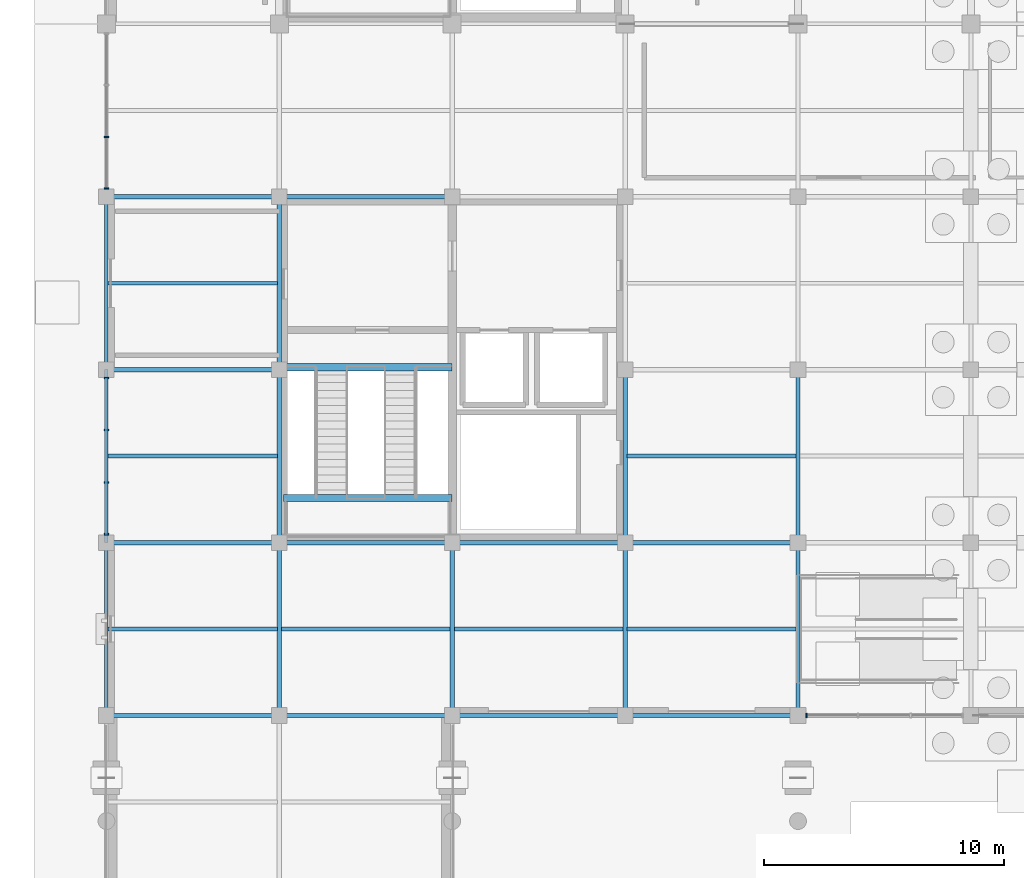
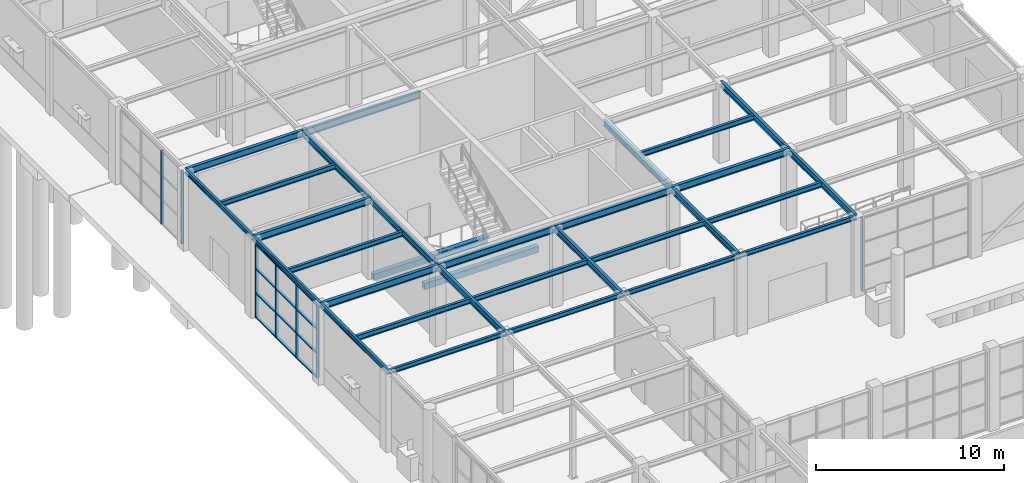
# One storey, part 28 of 75: 31 beams, 11 members, 3 elements without a shape of their own.
"""IFC4 building model written with IfcOpenShell, lengths in metres."""

from ifc_helpers import new_model, si_unit, direction, frame, origin, origin_2d, place, context, subcontext, project, spatial, rectangle, i_section, extrude, material, material_profile, profile_set, type_object, element, aggregate, save


model = new_model("IFC4")

# Units and contexts
model_context = context("Model", 3, precision=1e-05, world=origin(), true_north=direction((0.0, 1.0)))
body_context = subcontext(model_context, "Body", "Model", "MODEL_VIEW")
ifc_project = project(units=[si_unit("LENGTHUNIT", "METRE"), si_unit("AREAUNIT", "SQUARE_METRE"), si_unit("VOLUMEUNIT", "CUBIC_METRE"), si_unit("PLANEANGLEUNIT", "RADIAN"), si_unit("MASSUNIT", "GRAM", prefix="KILO")], contexts=[model_context])

# Site, building, storey
site_placement = place(None, origin())
site = spatial("IfcSite", under=ifc_project, at=site_placement, CompositionType="ELEMENT")
building_placement = place(site_placement, origin())
building = spatial("IfcBuilding", under=site, at=building_placement, Name="Leyfeld Transit Interchange", CompositionType="ELEMENT")
storey_placement = place(building_placement, origin())
storey = spatial("IfcBuildingStorey", under=building, at=storey_placement, Name="L00", CompositionType="ELEMENT", Elevation=0.0)

# Beams
ifc_material_1 = material(Name="Concrete C35/45", Category="concrete")
ifc_material_profile_1 = material_profile(ifc_material_1, rectangle(XDim=0.300048828125, YDim=0.39990234375, at=origin_2d()), Name="RC 400x300")
ifc_profile_set_1 = profile_set([ifc_material_profile_1], Name="Concrete C35/45")
beam_type_1 = type_object("IfcBeamType", Name="BM-RC-400x300", PredefinedType="LINTEL", material=ifc_profile_set_1)
for number, where, z_axis, x_axis, name in (
    (1, (7.375, 79.300048828125, -0.199951171875), (1.0, 0.0, 0.0), (0.0, 1.0, 0.0), "Core K3 Floor Landing Corbel L00"),
    (2, (7.375, 73.860107421875, 2.5), (1.0, 0.0, 0.0), (0.0, 1.0, 0.0), "Stair ST-03 L00 Half-Landing Corbel"),
):
    element("IfcBeam", number, at=place(storey_placement, frame(where, z_axis=z_axis, x_axis=x_axis)), inside=storey, type_object=beam_type_1, Name=name, PredefinedType="LINTEL", context=body_context, shape_type="SweptSolid", body=[
        extrude(rectangle(XDim=0.300048828125, YDim=0.39990234375, at=origin_2d()), origin(), (0.0, 0.0, 1.0), 7.02490234375),
    ])
ifc_material_2 = material(Name="Steel S355J2", Category="steel")
ifc_material_profile_2 = material_profile(ifc_material_2, i_section(OverallWidth=0.14990234375, OverallDepth=0.300048828125, WebThickness=0.007080078125, FlangeThickness=0.0107421875, FilletRadius=0.014892578125, at=origin_2d()), Name="IPE 300")
ifc_profile_set_2 = profile_set([ifc_material_profile_2], Name="Steel S355J2")
beam_type_2 = type_object("IfcBeamType", Name="BM-STL-IPE300", PredefinedType="SPANDREL", material=ifc_profile_set_2)
for number, where, z_axis, x_axis, name in (
    (3, (0.0, 64.800048828125, 4.969970703125), (0.0, 1.0, 0.0), (-1.0, 0.0, 0.0), "Beam BM-L00-0000_0648-0000_0720"),
    (4, (0.0, 72.0, 4.969970703125), (0.0, 1.0, 0.0), (-1.0, 0.0, 0.0), "Beam BM-L00-0000_0720-0000_0792"),
    (5, (0.0, 79.199951171875, 4.969970703125), (0.0, 1.0, 0.0), (-1.0, 0.0, 0.0), "Beam BM-L00-0000_0792-0000_0864"),
    (6, (0.0, 64.800048828125, 4.969970703125), (1.0, 0.0, 0.0), (0.0, 1.0, 0.0), "Beam BM-L00-0000_0648-0072_0648"),
    (7, (7.199951171875, 64.800048828125, 4.969970703125), (1.0, 0.0, 0.0), (0.0, 1.0, 0.0), "Beam BM-L00-0072_0648-0144_0648"),
):
    element("IfcBeam", number, at=place(storey_placement, frame(where, z_axis=z_axis, x_axis=x_axis)), inside=storey, type_object=beam_type_2, Name=name, PredefinedType="SPANDREL", context=body_context, shape_type="SweptSolid", body=[
        extrude(i_section(OverallWidth=0.14990234375, OverallDepth=0.300048828125, WebThickness=0.007080078125, FlangeThickness=0.0107421875, FilletRadius=0.014892578125, at=origin_2d()), origin(), (0.0, 0.0, 1.0), 7.199951171875),
    ])
beam_1_placement = place(storey_placement, frame((14.39990234375, 64.800048828125, 4.969970703125), z_axis=(1.0, 0.0, 0.0), x_axis=(0.0, 1.0, 0.0)))
element("IfcBeam", 8, at=beam_1_placement, inside=storey, type_object=beam_type_2, Name="Beam BM-L00-0144_0648-0216_0648", PredefinedType="SPANDREL", context=body_context, shape_type="SweptSolid", body=[
    extrude(i_section(OverallWidth=0.14990234375, OverallDepth=0.300048828125, WebThickness=0.007080078125, FlangeThickness=0.0107421875, FilletRadius=0.014892578125, at=origin_2d()), origin(), (0.0, 0.0, 1.0), 7.2001953125),
])
beam_2_placement = place(storey_placement, frame((21.60009765625, 64.800048828125, 4.969970703125), z_axis=(1.0, 0.0, 0.0), x_axis=(0.0, 1.0, 0.0)))
element("IfcBeam", 9, at=beam_2_placement, inside=storey, type_object=beam_type_2, Name="Beam BM-L00-0216_0648-0288_0648", PredefinedType="SPANDREL", context=body_context, shape_type="SweptSolid", body=[
    extrude(i_section(OverallWidth=0.14990234375, OverallDepth=0.300048828125, WebThickness=0.007080078125, FlangeThickness=0.0107421875, FilletRadius=0.014892578125, at=origin_2d()), origin(), (0.0, 0.0, 1.0), 7.199951171875),
])
ifc_material_profile_3 = material_profile(ifc_material_2, i_section(OverallWidth=0.159912109375, OverallDepth=0.330078125, WebThickness=0.007568359375, FlangeThickness=0.011474609375, FilletRadius=0.01806640625, at=origin_2d()), Name="IPE 330")
ifc_profile_set_3 = profile_set([ifc_material_profile_3], Name="Steel S355J2")
beam_type_3 = type_object("IfcBeamType", Name="BM-STL-IPE330", PredefinedType="BEAM", material=ifc_profile_set_3)
beam_3_placement = place(storey_placement, frame((0.072021484375, 68.39990234375, 4.955078125), z_axis=(1.0, 0.0, 0.0), x_axis=(0.0, 1.0, 0.0)))
element("IfcBeam", 10, at=beam_3_placement, inside=storey, type_object=beam_type_3, Name="Beam BM-L00-0001_0684-0071_0684", PredefinedType="BEAM", context=body_context, shape_type="SweptSolid", body=[
    extrude(i_section(OverallWidth=0.159912109375, OverallDepth=0.330078125, WebThickness=0.007568359375, FlangeThickness=0.011474609375, FilletRadius=0.01806640625, at=origin_2d()), origin(), (0.0, 0.0, 1.0), 7.041015625),
])
for number, where, z_axis, x_axis, name in (
    (11, (7.287109375, 68.39990234375, 4.955078125), (1.0, 0.0, 0.0), (0.0, 1.0, 0.0), "Beam BM-L00-0073_0684-0143_0684"),
    (12, (14.487060546875, 68.39990234375, 4.955078125), (1.0, 0.0, 0.0), (0.0, 1.0, 0.0), "Beam BM-L00-0145_0684-0215_0684"),
    (13, (21.68701171875, 68.39990234375, 4.955078125), (1.0, 0.0, 0.0), (0.0, 1.0, 0.0), "Beam BM-L00-0217_0684-0287_0684"),
):
    element("IfcBeam", number, at=place(storey_placement, frame(where, z_axis=z_axis, x_axis=x_axis)), inside=storey, type_object=beam_type_3, Name=name, PredefinedType="BEAM", context=body_context, shape_type="SweptSolid", body=[
        extrude(i_section(OverallWidth=0.159912109375, OverallDepth=0.330078125, WebThickness=0.007568359375, FlangeThickness=0.011474609375, FilletRadius=0.01806640625, at=origin_2d()), origin(), (0.0, 0.0, 1.0), 7.02587890625),
    ])
beam_4_placement = place(storey_placement, frame((0.072021484375, 75.60009765625, 4.955078125), z_axis=(1.0, 0.0, 0.0), x_axis=(0.0, 1.0, 0.0)))
element("IfcBeam", 14, at=beam_4_placement, inside=storey, type_object=beam_type_3, Name="Beam BM-L00-0001_0756-0071_0756", PredefinedType="BEAM", context=body_context, shape_type="SweptSolid", body=[
    extrude(i_section(OverallWidth=0.159912109375, OverallDepth=0.330078125, WebThickness=0.007568359375, FlangeThickness=0.011474609375, FilletRadius=0.01806640625, at=origin_2d()), origin(), (0.0, 0.0, 1.0), 7.041015625),
])
beam_5_placement = place(storey_placement, frame((21.68701171875, 75.60009765625, 4.955078125), z_axis=(1.0, 0.0, 0.0), x_axis=(0.0, 1.0, 0.0)))
element("IfcBeam", 15, at=beam_5_placement, inside=storey, type_object=beam_type_3, Name="Beam BM-L00-0217_0756-0287_0756", PredefinedType="BEAM", context=body_context, shape_type="SweptSolid", body=[
    extrude(i_section(OverallWidth=0.159912109375, OverallDepth=0.330078125, WebThickness=0.007568359375, FlangeThickness=0.011474609375, FilletRadius=0.01806640625, at=origin_2d()), origin(), (0.0, 0.0, 1.0), 7.02587890625),
])
beam_6_placement = place(storey_placement, frame((0.072021484375, 82.800048828125, 4.955078125), z_axis=(1.0, 0.0, 0.0), x_axis=(0.0, 1.0, 0.0)))
element("IfcBeam", 16, at=beam_6_placement, inside=storey, type_object=beam_type_3, Name="Beam BM-L00-0001_0828-0071_0828", PredefinedType="BEAM", context=body_context, shape_type="SweptSolid", body=[
    extrude(i_section(OverallWidth=0.159912109375, OverallDepth=0.330078125, WebThickness=0.007568359375, FlangeThickness=0.011474609375, FilletRadius=0.01806640625, at=origin_2d()), origin(), (0.0, 0.0, 1.0), 7.041015625),
])
ifc_material_profile_4 = material_profile(ifc_material_2, i_section(OverallWidth=0.179931640625, OverallDepth=0.39990234375, WebThickness=0.008544921875, FlangeThickness=0.013427734375, FilletRadius=0.02099609375, at=origin_2d()), Name="IPE 400")
ifc_profile_set_4 = profile_set([ifc_material_profile_4], Name="Steel S355J2")
beam_type_4 = type_object("IfcBeamType", Name="BM-STL-IPE400", PredefinedType="BEAM", material=ifc_profile_set_4)
for number, where, z_axis, x_axis, name in (
    (17, (7.199951171875, 64.800048828125, 4.919921875), (0.0, 1.0, 0.0), (-1.0, 0.0, 0.0), "Beam BM-L00-0072_0648-0072_0720"),
    (18, (7.199951171875, 72.0, 4.919921875), (0.0, 1.0, 0.0), (-1.0, 0.0, 0.0), "Beam BM-L00-0072_0720-0072_0792"),
    (19, (7.199951171875, 79.199951171875, 4.919921875), (0.0, 1.0, 0.0), (-1.0, 0.0, 0.0), "Beam BM-L00-0072_0792-0072_0864"),
    (20, (14.39990234375, 64.800048828125, 4.919921875), (0.0, 1.0, 0.0), (-1.0, 0.0, 0.0), "Beam BM-L00-0144_0648-0144_0720"),
    (21, (21.60009765625, 64.800048828125, 4.919921875), (0.0, 1.0, 0.0), (-1.0, 0.0, 0.0), "Beam BM-L00-0216_0648-0216_0720"),
    (22, (21.60009765625, 72.0, 4.919921875), (0.0, 1.0, 0.0), (-1.0, 0.0, 0.0), "Beam BM-L00-0216_0720-0216_0792"),
    (23, (28.800048828125, 64.800048828125, 4.919921875), (0.0, 1.0, 0.0), (-1.0, 0.0, 0.0), "Beam BM-L00-0288_0648-0288_0720"),
    (24, (28.800048828125, 72.0, 4.919921875), (0.0, 1.0, 0.0), (-1.0, 0.0, 0.0), "Beam BM-L00-0288_0720-0288_0792"),
):
    element("IfcBeam", number, at=place(storey_placement, frame(where, z_axis=z_axis, x_axis=x_axis)), inside=storey, type_object=beam_type_4, Name=name, PredefinedType="BEAM", context=body_context, shape_type="SweptSolid", body=[
        extrude(i_section(OverallWidth=0.179931640625, OverallDepth=0.39990234375, WebThickness=0.008544921875, FlangeThickness=0.013427734375, FilletRadius=0.02099609375, at=origin_2d()), origin(), (0.0, 0.0, 1.0), 7.199951171875),
    ])
ifc_material_profile_5 = material_profile(ifc_material_2, i_section(OverallWidth=0.18994140625, OverallDepth=0.449951171875, WebThickness=0.009521484375, FlangeThickness=0.0146484375, FilletRadius=0.02099609375, at=origin_2d()), Name="IPE 450")
ifc_profile_set_5 = profile_set([ifc_material_profile_5], Name="Steel S355J2")
beam_type_5 = type_object("IfcBeamType", Name="BM-STL-IPE450", PredefinedType="BEAM", material=ifc_profile_set_5)
for number, where, z_axis, x_axis, name in (
    (25, (0.0, 72.0, 4.89501953125), (1.0, 0.0, 0.0), (0.0, 1.0, 0.0), "Beam BM-L00-0000_0720-0072_0720"),
    (26, (7.199951171875, 72.0, 4.89501953125), (1.0, 0.0, 0.0), (0.0, 1.0, 0.0), "Beam BM-L00-0072_0720-0144_0720"),
):
    element("IfcBeam", number, at=place(storey_placement, frame(where, z_axis=z_axis, x_axis=x_axis)), inside=storey, type_object=beam_type_5, Name=name, PredefinedType="BEAM", context=body_context, shape_type="SweptSolid", body=[
        extrude(i_section(OverallWidth=0.18994140625, OverallDepth=0.449951171875, WebThickness=0.009521484375, FlangeThickness=0.0146484375, FilletRadius=0.02099609375, at=origin_2d()), origin(), (0.0, 0.0, 1.0), 7.199951171875),
    ])
beam_7_placement = place(storey_placement, frame((14.39990234375, 72.0, 4.89501953125), z_axis=(1.0, 0.0, 0.0), x_axis=(0.0, 1.0, 0.0)))
element("IfcBeam", 27, at=beam_7_placement, inside=storey, type_object=beam_type_5, Name="Beam BM-L00-0144_0720-0216_0720", PredefinedType="BEAM", context=body_context, shape_type="SweptSolid", body=[
    extrude(i_section(OverallWidth=0.18994140625, OverallDepth=0.449951171875, WebThickness=0.009521484375, FlangeThickness=0.0146484375, FilletRadius=0.02099609375, at=origin_2d()), origin(), (0.0, 0.0, 1.0), 7.2001953125),
])
for number, where, z_axis, x_axis, name in (
    (28, (21.60009765625, 72.0, 4.89501953125), (1.0, 0.0, 0.0), (0.0, 1.0, 0.0), "Beam BM-L00-0216_0720-0288_0720"),
    (29, (0.0, 79.199951171875, 4.89501953125), (1.0, 0.0, 0.0), (0.0, 1.0, 0.0), "Beam BM-L00-0000_0792-0072_0792"),
    (30, (0.0, 86.39990234375, 4.89501953125), (1.0, 0.0, 0.0), (0.0, 1.0, 0.0), "Beam BM-L00-0000_0864-0072_0864"),
    (31, (7.199951171875, 86.39990234375, 4.89501953125), (1.0, 0.0, 0.0), (0.0, 1.0, 0.0), "Beam BM-L00-0072_0864-0144_0864"),
):
    element("IfcBeam", number, at=place(storey_placement, frame(where, z_axis=z_axis, x_axis=x_axis)), inside=storey, type_object=beam_type_5, Name=name, PredefinedType="BEAM", context=body_context, shape_type="SweptSolid", body=[
        extrude(i_section(OverallWidth=0.18994140625, OverallDepth=0.449951171875, WebThickness=0.009521484375, FlangeThickness=0.0146484375, FilletRadius=0.02099609375, at=origin_2d()), origin(), (0.0, 0.0, 1.0), 7.199951171875),
    ])

# Curtain wall, members
ifc_material_3 = material(Name="Anodised aluminium EN AW-6060 T66", Category="aluminium")
curtain_wall_type = type_object("IfcCurtainWallType", Name="CW-SYS-CYC-7200", PredefinedType="NOTDEFINED", material=ifc_material_3)
curtain_wall_1_placement = place(storey_placement, origin())
curtain_wall_1 = element("IfcCurtainWall", 32, at=curtain_wall_1_placement, inside=storey, type_object=curtain_wall_type, Name="Curtain Wall CW-L00-007", PredefinedType="NOTDEFINED")
ifc_material_profile_6 = material_profile(ifc_material_3, rectangle(XDim=0.06494140625, YDim=0.179931640625, at=origin_2d()), Name="CW-M 65x180")
ifc_profile_set_6 = profile_set([ifc_material_profile_6], Name="Anodised aluminium EN AW-6060 T66")
member_type_1 = type_object("IfcMemberType", Name="CW-MUL-150x65", PredefinedType="MULLION", material=ifc_profile_set_6)
member_1_placement = place(storey_placement, frame((0.0, 72.347412109375, 0.0), z_axis=(0.0, 0.0, 1.0), x_axis=(0.0, 1.0, 0.0)))
member_1 = element("IfcMember", 33, at=member_1_placement, type_object=member_type_1, Name="Curtain Mullion CW-L00-007-M01", PredefinedType="MULLION", context=body_context, shape_type="SweptSolid", body=[
    extrude(rectangle(XDim=0.06494140625, YDim=0.179931640625, at=origin_2d()), origin(), (0.0, 0.0, 1.0), 4.7900390625),
])
member_2_placement = place(storey_placement, frame((0.0, 74.5048828125, 0.0), z_axis=(0.0, 0.0, 1.0), x_axis=(0.0, 1.0, 0.0)))
member_2 = element("IfcMember", 34, at=member_2_placement, type_object=member_type_1, Name="Curtain Mullion CW-L00-007-M02", PredefinedType="MULLION", context=body_context, shape_type="SweptSolid", body=[
    extrude(rectangle(XDim=0.06494140625, YDim=0.179931640625, at=origin_2d()), origin(), (0.0, 0.0, 1.0), 4.7900390625),
])
member_3_placement = place(storey_placement, frame((0.0, 76.695068359375, 0.0), z_axis=(0.0, 0.0, 1.0), x_axis=(0.0, 1.0, 0.0)))
member_3 = element("IfcMember", 35, at=member_3_placement, type_object=member_type_1, Name="Curtain Mullion CW-L00-007-M03", PredefinedType="MULLION", context=body_context, shape_type="SweptSolid", body=[
    extrude(rectangle(XDim=0.06494140625, YDim=0.179931640625, at=origin_2d()), origin(), (0.0, 0.0, 1.0), 4.7900390625),
])
member_4_placement = place(storey_placement, frame((0.0, 78.8525390625, 0.0), z_axis=(0.0, 0.0, 1.0), x_axis=(0.0, 1.0, 0.0)))
member_4 = element("IfcMember", 36, at=member_4_placement, type_object=member_type_1, Name="Curtain Mullion CW-L00-007-M04", PredefinedType="MULLION", context=body_context, shape_type="SweptSolid", body=[
    extrude(rectangle(XDim=0.06494140625, YDim=0.179931640625, at=origin_2d()), origin(), (0.0, 0.0, 1.0), 4.7900390625),
])

curtain_wall_2_placement = place(storey_placement, origin())
curtain_wall_2 = element("IfcCurtainWall", 37, at=curtain_wall_2_placement, inside=storey, type_object=curtain_wall_type, Name="Curtain Wall CW-L00-008", PredefinedType="NOTDEFINED")
member_5_placement = place(storey_placement, frame((0.0, 86.74755859375, 0.0), z_axis=(0.0, 0.0, 1.0), x_axis=(0.0, 1.0, 0.0)))
member_5 = element("IfcMember", 38, at=member_5_placement, type_object=member_type_1, Name="Curtain Mullion CW-L00-008-M01", PredefinedType="MULLION", context=body_context, shape_type="SweptSolid", body=[
    extrude(rectangle(XDim=0.06494140625, YDim=0.179931640625, at=origin_2d()), origin(), (0.0, 0.0, 1.0), 4.7900390625),
])
member_6_placement = place(storey_placement, frame((0.0, 88.88818359375, 0.0), z_axis=(0.0, 0.0, 1.0), x_axis=(0.0, 1.0, 0.0)))
member_6 = element("IfcMember", 39, at=member_6_placement, type_object=member_type_1, Name="Curtain Mullion CW-L00-008-M02", PredefinedType="MULLION", context=body_context, shape_type="SweptSolid", body=[
    extrude(rectangle(XDim=0.06494140625, YDim=0.179931640625, at=origin_2d()), origin(), (0.0, 0.0, 1.0), 4.7900390625),
])
aggregate(curtain_wall_2, [member_5, member_6])

# Curtain wall, member
curtain_wall_3_placement = place(storey_placement, origin())
curtain_wall_3 = element("IfcCurtainWall", 40, at=curtain_wall_3_placement, inside=storey, type_object=curtain_wall_type, Name="Curtain Wall CW-L00-009", PredefinedType="NOTDEFINED")
member_7_placement = place(storey_placement, frame((29.1474609375, 64.800048828125, 0.0), z_axis=(0.0, 0.0, 1.0), x_axis=(-1.0, 0.0, 0.0)))
member_7 = element("IfcMember", 41, at=member_7_placement, type_object=member_type_1, Name="Curtain Mullion CW-L00-009-M04", PredefinedType="MULLION", context=body_context, shape_type="SweptSolid", body=[
    extrude(rectangle(XDim=0.06494140625, YDim=0.179931640625, at=origin_2d()), origin(), (0.0, 0.0, 1.0), 4.820068359375),
])
aggregate(curtain_wall_3, [member_7])

# Member
ifc_material_profile_7 = material_profile(ifc_material_3, rectangle(XDim=0.14990234375, YDim=0.06494140625, at=origin_2d()), Name="CW-TRN-135x65")
ifc_profile_set_7 = profile_set([ifc_material_profile_7], Name="Anodised aluminium EN AW-6060 T66")
member_type_2 = type_object("IfcMemberType", Name="CW-TRN-135x65", PredefinedType="USERDEFINED", material=ifc_profile_set_7)
member_8_placement = place(storey_placement, frame((0.0, 72.31494140625, 0.032470703125), z_axis=(0.0, 1.0, 0.0), x_axis=(-1.0, 0.0, 0.0)))
member_8 = element("IfcMember", 42, at=member_8_placement, type_object=member_type_2, Name="Curtain Transom CW-L00-007-T01", ObjectType="TRANSOM", PredefinedType="USERDEFINED", context=body_context, shape_type="SweptSolid", body=[
    extrude(rectangle(XDim=0.14990234375, YDim=0.06494140625, at=origin_2d()), origin(), (0.0, 0.0, 1.0), 6.570068359375),
])

member_9_placement = place(storey_placement, frame((0.0, 72.31494140625, 1.607421875), z_axis=(0.0, 1.0, 0.0), x_axis=(-1.0, 0.0, 0.0)))
member_9 = element("IfcMember", 43, at=member_9_placement, type_object=member_type_2, Name="Curtain Transom CW-L00-007-T02", ObjectType="TRANSOM", PredefinedType="USERDEFINED", context=body_context, shape_type="SweptSolid", body=[
    extrude(rectangle(XDim=0.14990234375, YDim=0.06494140625, at=origin_2d()), origin(), (0.0, 0.0, 1.0), 6.570068359375),
])

member_10_placement = place(storey_placement, frame((0.0, 72.31494140625, 3.1826171875), z_axis=(0.0, 1.0, 0.0), x_axis=(-1.0, 0.0, 0.0)))
member_10 = element("IfcMember", 44, at=member_10_placement, type_object=member_type_2, Name="Curtain Transom CW-L00-007-T03", ObjectType="TRANSOM", PredefinedType="USERDEFINED", context=body_context, shape_type="SweptSolid", body=[
    extrude(rectangle(XDim=0.14990234375, YDim=0.06494140625, at=origin_2d()), origin(), (0.0, 0.0, 1.0), 6.570068359375),
])

member_11_placement = place(storey_placement, frame((0.0, 72.31494140625, 4.757568359375), z_axis=(0.0, 1.0, 0.0), x_axis=(-1.0, 0.0, 0.0)))
member_11 = element("IfcMember", 45, at=member_11_placement, type_object=member_type_2, Name="Curtain Transom CW-L00-007-T04", ObjectType="TRANSOM", PredefinedType="USERDEFINED", context=body_context, shape_type="SweptSolid", body=[
    extrude(rectangle(XDim=0.14990234375, YDim=0.06494140625, at=origin_2d()), origin(), (0.0, 0.0, 1.0), 6.570068359375),
])

aggregate(curtain_wall_1, [member_1, member_2, member_3, member_4, member_8, member_9, member_10, member_11])

save(model, "model.ifc")
